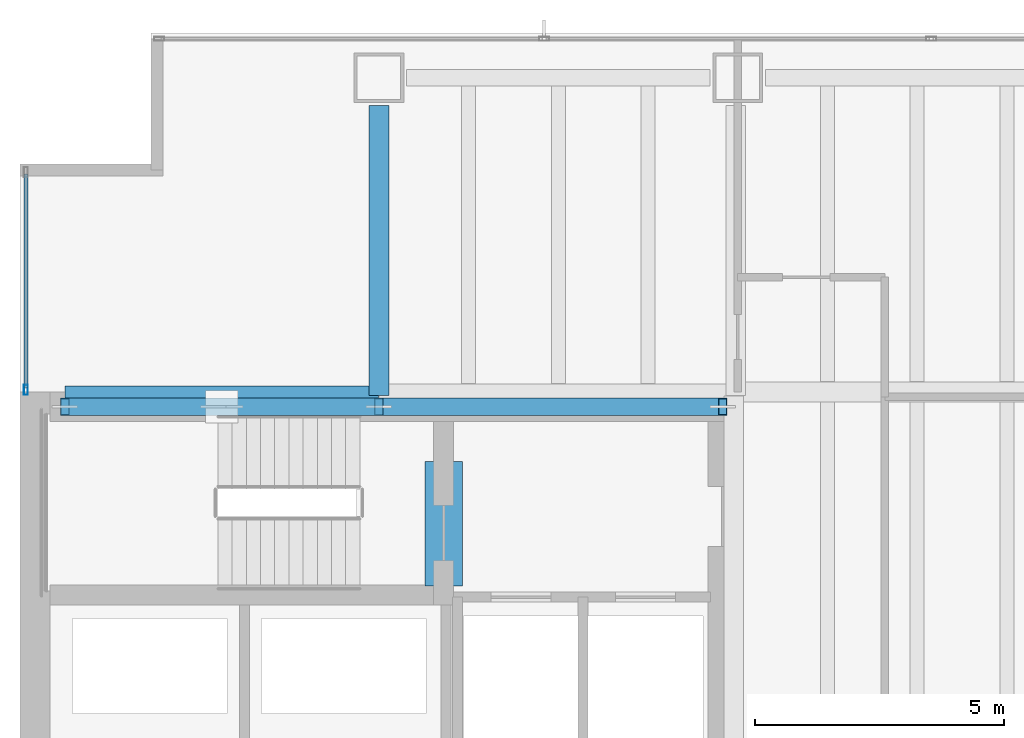
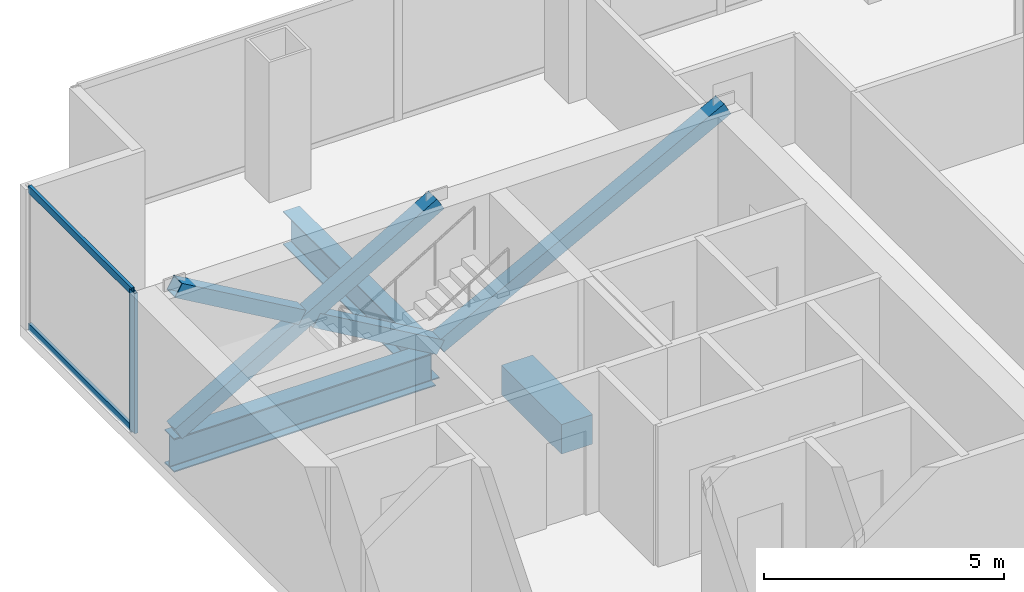
# One storey, part 14 of 25: 7 members, 3 beams, 1 element without a shape of its own.
"""IFC4 building model written with IfcOpenShell, lengths in metres."""

from ifc_helpers import new_model, si_unit, direction, frame, origin, origin_2d, place, context, subcontext, project, spatial, rectangle, hollow_rectangle, i_section, extrude, material, material_profile, profile_set, type_object, element, aggregate, save


model = new_model("IFC4")

# Units and contexts
model_context = context("Model", 3, precision=1e-05, world=origin(), true_north=direction((0.0, 1.0)))
body_context = subcontext(model_context, "Body", "Model", "MODEL_VIEW")
ifc_project = project(units=[si_unit("LENGTHUNIT", "METRE"), si_unit("AREAUNIT", "SQUARE_METRE"), si_unit("VOLUMEUNIT", "CUBIC_METRE"), si_unit("PLANEANGLEUNIT", "RADIAN"), si_unit("MASSUNIT", "GRAM", prefix="KILO")], contexts=[model_context])

# Site, building, storey
site_placement = place(None, origin())
site = spatial("IfcSite", under=ifc_project, at=site_placement, CompositionType="ELEMENT")
building_placement = place(site_placement, origin())
building = spatial("IfcBuilding", under=site, at=building_placement, Name="Cobrela Telecom Tower", CompositionType="ELEMENT")
storey_placement = place(building_placement, frame((0.0, 0.0, 46.550048828125)))
storey = spatial("IfcBuildingStorey", under=building, at=storey_placement, Name="L11", CompositionType="ELEMENT", Elevation=46.550048828125)

# Beams
ifc_material_1 = material(Name="Concrete C40/50", Category="concrete")
ifc_material_profile_1 = material_profile(ifc_material_1, rectangle(XDim=0.75, YDim=0.75, at=origin_2d()), Name="RC 750x750")
ifc_profile_set_1 = profile_set([ifc_material_profile_1], Name="Concrete C40/50")
beam_type_1 = type_object("IfcBeamType", Name="BM-COUP-RC", PredefinedType="LINTEL", material=ifc_profile_set_1)
beam_1_placement = place(storey_placement, frame((8.5, 32.10009765625, -0.630126953125), z_axis=(0.0, 1.0, 0.0), x_axis=(-1.0, 0.0, 0.0)))
element("IfcBeam", 1, at=beam_1_placement, inside=storey, type_object=beam_type_1, Name="L11 Core Coupling Lintel Beam", PredefinedType="LINTEL", context=body_context, shape_type="SweptSolid", body=[
    extrude(rectangle(XDim=0.75, YDim=0.75, at=origin_2d()), origin(), (0.0, 0.0, 1.0), 2.5),
])
ifc_material_2 = material(Name="Steel ASTM A992 Grade 50", Category="steel")
ifc_material_profile_2 = material_profile(ifc_material_2, i_section(OverallWidth=0.39892578125, OverallDepth=0.85595703125, WebThickness=0.018310546875, FlangeThickness=0.029296875, FilletRadius=0.02001953125, at=origin_2d()), Name="W33X201")
ifc_profile_set_2 = profile_set([ifc_material_profile_2], Name="Steel ASTM A992 Grade 50")
beam_type_2 = type_object("IfcBeamType", Name="BM-GIRD-03", PredefinedType="USERDEFINED", material=ifc_profile_set_2)
beam_2_placement = place(storey_placement, frame((0.905029296875, 35.919921875, -0.7080078125), z_axis=(1.0, 0.0, 0.0), x_axis=(0.0, 1.0, 0.0)))
element("IfcBeam", 2, at=beam_2_placement, inside=storey, type_object=beam_type_2, Name="L11 Primary Girder X25", ObjectType="GIRDER", PredefinedType="USERDEFINED", context=body_context, shape_type="SweptSolid", body=[
    extrude(i_section(OverallWidth=0.39892578125, OverallDepth=0.85595703125, WebThickness=0.018310546875, FlangeThickness=0.029296875, FilletRadius=0.02001953125, at=origin_2d()), origin(), (0.0, 0.0, 1.0), 6.2900390625),
])
beam_3_placement = place(storey_placement, frame((7.199951171875, 35.925048828125, -0.7080078125), z_axis=(0.0, 1.0, 0.0), x_axis=(-1.0, 0.0, 0.0)))
element("IfcBeam", 3, at=beam_3_placement, inside=storey, type_object=beam_type_2, Name="L11 Primary Girder Y33", ObjectType="GIRDER", PredefinedType="USERDEFINED", context=body_context, shape_type="SweptSolid", body=[
    extrude(i_section(OverallWidth=0.39892578125, OverallDepth=0.85595703125, WebThickness=0.018310546875, FlangeThickness=0.029296875, FilletRadius=0.02001953125, at=origin_2d()), origin(), (0.0, 0.0, 1.0), 5.820068359375),
])

# Curtain wall, members
ifc_material_3 = material(Name="Anodized Bronze Aluminium 6063-T6", Category="aluminium")
curtain_wall_type = type_object("IfcCurtainWallType", Name="CW-SYS-DATA", PredefinedType="USERDEFINED", material=ifc_material_3)
curtain_wall_placement = place(storey_placement, origin())
curtain_wall = element("IfcCurtainWall", 4, at=curtain_wall_placement, inside=storey, type_object=curtain_wall_type, Name="L11 Unitised Bronze Curtain Wall 04", ObjectType="UNITISED CURTAIN WALL", PredefinedType="USERDEFINED")
ifc_material_profile_3 = material_profile(ifc_material_3, hollow_rectangle(XDim=0.080078125, YDim=0.199951171875, WallThickness=0.00390625, at=origin_2d()), Name="ALU 80x200x4")
ifc_profile_set_3 = profile_set([ifc_material_profile_3], Name="Anodized Bronze Aluminium 6063-T6")
member_type_1 = type_object("IfcMemberType", Name="CW-SYS-DATA-MUL", PredefinedType="MULLION", material=ifc_profile_set_3)
member_1_placement = place(storey_placement, frame((0.1201171875, 36.0400390625, 0.0), z_axis=(0.0, 0.0, 1.0), x_axis=(-1.0, 0.0, 0.0)))
member_1 = element("IfcMember", 5, at=member_1_placement, type_object=member_type_1, Name="CW-DATA mullion 1", PredefinedType="MULLION", context=body_context, shape_type="SweptSolid", body=[
    extrude(hollow_rectangle(XDim=0.080078125, YDim=0.199951171875, WallThickness=0.00390625, at=origin_2d()), origin(), (0.0, 0.0, 1.0), 3.570068359375),
])
ifc_material_profile_4 = material_profile(ifc_material_3, hollow_rectangle(XDim=0.074951171875, YDim=0.179931640625, WallThickness=0.00390625, at=origin_2d()), Name="ALU 75x180x4")
ifc_profile_set_4 = profile_set([ifc_material_profile_4], Name="Anodized Bronze Aluminium 6063-T6")
member_type_2 = type_object("IfcMemberType", Name="CW-SYS-DATA-TRN", PredefinedType="USERDEFINED", material=ifc_profile_set_4)
member_2_placement = place(storey_placement, frame((0.1201171875, 36.080078125, 0.037353515625), z_axis=(0.0, 1.0, 0.0), x_axis=(-1.0, 0.0, 0.0)))
member_2 = element("IfcMember", 6, at=member_2_placement, type_object=member_type_2, Name="CW-DATA transom 1.1", ObjectType="TRANSOM", PredefinedType="USERDEFINED", context=body_context, shape_type="SweptSolid", body=[
    extrude(hollow_rectangle(XDim=0.074951171875, YDim=0.179931640625, WallThickness=0.00390625, at=origin_2d()), origin(), (0.0, 0.0, 1.0), 4.2900390625),
])
member_3_placement = place(storey_placement, frame((0.1201171875, 36.080078125, 3.532470703125), z_axis=(0.0, 1.0, 0.0), x_axis=(-1.0, 0.0, 0.0)))
member_3 = element("IfcMember", 7, at=member_3_placement, type_object=member_type_2, Name="CW-DATA transom 1.2", ObjectType="TRANSOM", PredefinedType="USERDEFINED", context=body_context, shape_type="SweptSolid", body=[
    extrude(hollow_rectangle(XDim=0.074951171875, YDim=0.179931640625, WallThickness=0.00390625, at=origin_2d()), origin(), (0.0, 0.0, 1.0), 4.2900390625),
])
aggregate(curtain_wall, [member_1, member_2, member_3])

# Members
ifc_material_4 = material(Name="Steel ASTM A572 Grade 50", Category="steel")
ifc_material_profile_5 = material_profile(ifc_material_4, hollow_rectangle(XDim=0.35009765625, YDim=0.35009765625, WallThickness=0.01611328125, at=origin_2d()), Name="HSS 350x350x16")
ifc_profile_set_5 = profile_set([ifc_material_profile_5], Name="Steel ASTM A572 Grade 50")
member_type_3 = type_object("IfcMemberType", Name="MBR-EXO-02", PredefinedType="BRACE", material=ifc_profile_set_5)
member_4_placement = place(storey_placement, frame((0.89990234375, 35.699951171875, -0.0400390625), z_axis=(0.865277025542, 0.0, 0.501293994647), x_axis=(0.0, 1.0, 0.0)))
element("IfcMember", 8, at=member_4_placement, inside=storey, type_object=member_type_3, Name="L11 Core Flange Steel X-Brace Continuous A", PredefinedType="BRACE", context=body_context, shape_type="SweptSolid", body=[
    extrude(hollow_rectangle(XDim=0.35009765625, YDim=0.35009765625, WallThickness=0.01611328125, at=origin_2d()), origin(), (0.0, 0.0, 1.0), 7.281005859375),
])
member_5_placement = place(storey_placement, frame((7.199951171875, 35.699951171875, -0.0400390625), z_axis=(-0.865266106373, 0.0, 0.50131284161), x_axis=(0.0, -1.0, 0.0)))
element("IfcMember", 9, at=member_5_placement, inside=storey, type_object=member_type_3, Name="L11 Core Flange Steel X-Brace Split B1", PredefinedType="BRACE", context=body_context, shape_type="SweptSolid", body=[
    extrude(hollow_rectangle(XDim=0.35009765625, YDim=0.35009765625, WallThickness=0.01611328125, at=origin_2d()), origin(), (0.0, 0.0, 1.0), 3.444580078125),
])
member_6_placement = place(storey_placement, frame((3.88037109375, 35.699951171875, 1.88330078125), z_axis=(-0.865296850073, 0.0, 0.501259774223), x_axis=(0.0, -1.0, 0.0)))
element("IfcMember", 10, at=member_6_placement, inside=storey, type_object=member_type_3, Name="L11 Core Flange Steel X-Brace Split B2", PredefinedType="BRACE", context=body_context, shape_type="SweptSolid", body=[
    extrude(hollow_rectangle(XDim=0.35009765625, YDim=0.35009765625, WallThickness=0.01611328125, at=origin_2d()), origin(), (0.0, 0.0, 1.0), 3.4443359375),
])
member_7_placement = place(storey_placement, frame((7.199951171875, 35.699951171875, -0.0400390625), z_axis=(0.883952947778, 0.0, 0.467575861348), x_axis=(0.0, 1.0, 0.0)))
element("IfcMember", 11, at=member_7_placement, inside=storey, type_object=member_type_3, Name="L11 Core Flange Steel Brace N2", PredefinedType="BRACE", context=body_context, shape_type="SweptSolid", body=[
    extrude(hollow_rectangle(XDim=0.35009765625, YDim=0.35009765625, WallThickness=0.01611328125, at=origin_2d()), origin(), (0.0, 0.0, 1.0), 7.805908203125),
])

save(model, "model.ifc")
